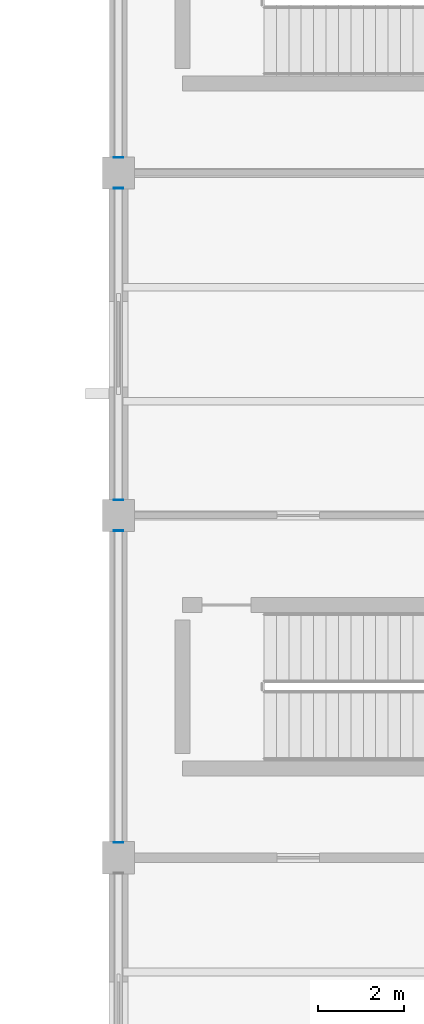
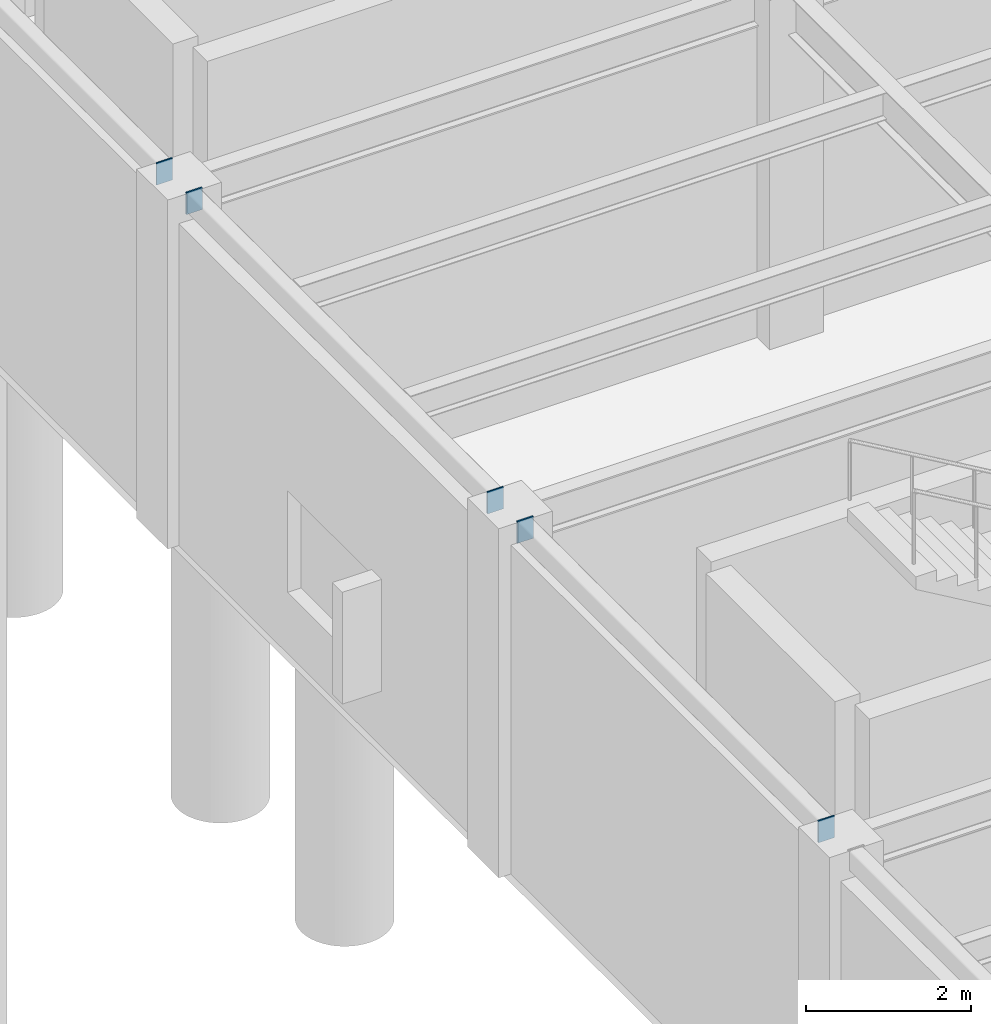
# One storey, part 100 of 138: 5 discrete accessories.
"""IFC4 building model written with IfcOpenShell, lengths in metres."""

import ifcopenshell
import ifcopenshell.guid

model = None  # the IFC model being written
_history = None  # IfcOwnerHistory: only IFC2X3 demands one
_inside = {}  # id of a spatial element -> (the spatial element, [elements in it])
_under = {}  # id of a project, library or spatial element -> (it, [spatial elements below it])
_declared = {}  # id of a project -> (the project, [libraries it declares])
_typed = {}  # id of a type object -> (the type object, [elements of that type])
_made_of = {}  # id of a material, layer set ... -> (it, [elements and type objects made of it])


def new_model(schema):
    """Start an empty IFC model of exactly this schema.

    Asked for "IFC4X3", IfcOpenShell would pick the latest addendum, in which some entities
    have other attributes; the version numbers below select the first issue.
    IFC2X3 requires an IfcOwnerHistory on every rooted entity: one is made here for all.
    """
    global model, _history
    if schema == "IFC4X3":
        model = ifcopenshell.file(schema_version=(4, 3, 0, 0))
    else:
        model = ifcopenshell.file(schema=schema)
    _inside.clear()
    _under.clear()
    _declared.clear()
    _typed.clear()
    _made_of.clear()
    _history = None
    if model.schema == "IFC2X3":
        org = make("IfcOrganization", Name="unknown")
        user = make(
            "IfcPersonAndOrganization",
            ThePerson=make("IfcPerson", FamilyName="unknown"),
            TheOrganization=org,
        )
        app = make(
            "IfcApplication",
            ApplicationDeveloper=org,
            Version="unknown",
            ApplicationFullName="unknown",
            ApplicationIdentifier="unknown",
        )
        _history = make(
            "IfcOwnerHistory",
            OwningUser=user,
            OwningApplication=app,
            ChangeAction="ADDED",
            CreationDate=0,
        )
    return model


def make(cls, **values):
    """One entity of the class cls with the attributes given. An attribute that is None is left unset."""
    return model.create_entity(
        cls, **{name: value for name, value in values.items() if value is not None}
    )


def rooted(cls, **values):
    """An entity with a GlobalId (a new one), such as an element, a storey or a relation."""
    return make(cls, GlobalId=ifcopenshell.guid.new(), OwnerHistory=_history, **values)


def si_unit(unit_type, name, prefix=None):
    """IfcSIUnit, for example si_unit("LENGTHUNIT", "METRE", prefix="MILLI")."""
    return make("IfcSIUnit", UnitType=unit_type, Prefix=prefix, Name=name)


def assignment(units):
    """IfcUnitAssignment: the units of a project."""
    return None if units is None else make("IfcUnitAssignment", Units=units)


def point(xyz):
    """IfcCartesianPoint."""
    return None if xyz is None else make("IfcCartesianPoint", Coordinates=xyz)


def direction(xyz):
    """IfcDirection."""
    return None if xyz is None else make("IfcDirection", DirectionRatios=xyz)


def frame(location, z_axis=None, x_axis=None):
    """IfcAxis2Placement3D, a coordinate frame: its origin and axes. An axis left out is left unset."""
    return make(
        "IfcAxis2Placement3D",
        Location=point(location),
        Axis=direction(z_axis),
        RefDirection=direction(x_axis),
    )


def frame_2d(location, x_axis=None):
    """IfcAxis2Placement2D, a coordinate frame in the plane: its origin and x axis."""
    return make(
        "IfcAxis2Placement2D", Location=point(location), RefDirection=direction(x_axis)
    )


def origin():
    """The frame at (0, 0, 0) with its axes left unset."""
    return frame((0.0, 0.0, 0.0))


def origin_2d():
    """The frame at (0, 0) in the plane with its x axis left unset."""
    return frame_2d((0.0, 0.0))


def place(relative_to, where):
    """IfcLocalPlacement: puts the frame where relative to a parent placement (None: the world)."""
    return make(
        "IfcLocalPlacement", PlacementRelTo=relative_to, RelativePlacement=where
    )


def context(
    kind, dimensions, precision=None, world=None, true_north=None, identifier=None
):
    """IfcGeometricRepresentationContext, for example the 3D "Model" context."""
    return make(
        "IfcGeometricRepresentationContext",
        ContextIdentifier=identifier,
        ContextType=kind,
        CoordinateSpaceDimension=dimensions,
        Precision=precision,
        WorldCoordinateSystem=world,
        TrueNorth=true_north,
    )


def subcontext(parent, identifier, kind, view, scale=None):
    """IfcGeometricRepresentationSubContext, for example "Body" below "Model"."""
    return make(
        "IfcGeometricRepresentationSubContext",
        ContextIdentifier=identifier,
        ContextType=kind,
        ParentContext=parent,
        TargetScale=scale,
        TargetView=view,
    )


def project(units=None, contexts=None):
    """IfcProject with its units and contexts."""
    return rooted(
        "IfcProject",
        Name="project",
        RepresentationContexts=contexts,
        UnitsInContext=assignment(units),
    )


def spatial(cls, under=None, at=None, **own):
    """A site, building, storey or space (cls), placed at a placement, below another one or the project."""
    s = rooted(cls, ObjectPlacement=at, **own)
    if under is not None:
        _under.setdefault(under.id(), (under, []))[1].append(s)
    return s


def profile(cls, at=None, kind="AREA", **sizes):
    """A parametric profile (cls). Its sizes go by their IFC names, for example OverallWidth=200.0."""
    return make(cls, ProfileType=kind, Position=at, **sizes)


def rectangle(**sizes):
    """IfcRectangleProfileDef."""
    return profile("IfcRectangleProfileDef", **sizes)


def extrude(swept, where, along, depth):
    """IfcExtrudedAreaSolid: the profile swept, set in the frame where, extruded along a direction by depth."""
    return make(
        "IfcExtrudedAreaSolid",
        SweptArea=swept,
        Position=where,
        ExtrudedDirection=direction(along),
        Depth=depth,
    )


def shape(context_of_items, identifier, shape_type, items):
    """IfcShapeRepresentation: the items that make up one representation, for example the "Body"."""
    return make(
        "IfcShapeRepresentation",
        ContextOfItems=context_of_items,
        RepresentationIdentifier=identifier,
        RepresentationType=shape_type,
        Items=items,
    )


def material(Name=None, Category=None):
    """IfcMaterial."""
    return make("IfcMaterial", Name=Name, Category=Category)


def layer(
    of_material, thickness, ventilated=None, Name=None, Category=None, Priority=None
):
    """IfcMaterialLayer: one layer of a wall or slab, of a material (None: an air gap)."""
    return make(
        "IfcMaterialLayer",
        Material=of_material,
        LayerThickness=thickness,
        IsVentilated=ventilated,
        Name=Name,
        Category=Category,
        Priority=Priority,
    )


def layer_set(layers, Name=None):
    """IfcMaterialLayerSet."""
    return make("IfcMaterialLayerSet", MaterialLayers=layers, LayerSetName=Name)


def made_of(thing, what):
    """Note that an element or type object is made of a material, layer set ...; save() writes the relation."""
    if what is not None:
        _made_of.setdefault(what.id(), (what, []))[1].append(thing)
    return thing


def type_object(cls, material=None, **own):
    """A type object (cls), such as IfcWallType, which elements share."""
    return made_of(rooted(cls, **own), material)


def element(
    cls,
    number,
    at=None,
    inside=None,
    cuts=None,
    type_object=None,
    material=None,
    context=None,
    identifier="Body",
    shape_type=None,
    held_by="IfcProductDefinitionShape",
    body=None,
    shapes=None,
    **own,
):
    """One element of the class cls, such as IfcWall. Its Tag is "e" and its number.

    at: its placement. inside: the storey or other place that contains it. cuts: it is an
    opening in that element (IfcRelVoidsElement). A single representation is given by context,
    identifier, shape_type and body (its items); several are given by shapes. held_by: the class
    of the entity that holds the representations. save() writes the other relations.
    """
    e = rooted(cls, Tag="e%d" % number, ObjectPlacement=at, **own)
    if body is not None:
        shapes = [shape(context, identifier, shape_type, body)]
    if shapes is not None:
        e.Representation = make(held_by, Representations=shapes)
    if inside is not None:
        _inside.setdefault(inside.id(), (inside, []))[1].append(e)
    if cuts is not None:
        rooted(
            "IfcRelVoidsElement", RelatingBuildingElement=cuts, RelatedOpeningElement=e
        )
    if type_object is not None:
        _typed.setdefault(type_object.id(), (type_object, []))[1].append(e)
    return made_of(e, material)


def aggregate(whole, parts):
    """IfcRelAggregates: a whole, such as a stair, and the parts it consists of."""
    return rooted("IfcRelAggregates", RelatingObject=whole, RelatedObjects=parts)


def save(model, path):
    """Write the relations noted so far, then the file.

    IfcRelAggregates (storeys below a building ...), IfcRelContainedInSpatialStructure (elements
    in a storey), IfcRelDefinesByType, IfcRelAssociatesMaterial and IfcRelDeclares: one each for
    every whole, place, type object, material and project.
    """
    for whole, parts in _under.values():
        aggregate(whole, parts)
    for where, things in _inside.values():
        rooted(
            "IfcRelContainedInSpatialStructure",
            RelatedElements=things,
            RelatingStructure=where,
        )
    for kind, things in _typed.values():
        rooted("IfcRelDefinesByType", RelatedObjects=things, RelatingType=kind)
    for what, things in _made_of.values():
        rooted("IfcRelAssociatesMaterial", RelatedObjects=things, RelatingMaterial=what)
    for by, libraries in _declared.values():
        rooted("IfcRelDeclares", RelatingContext=by, RelatedDefinitions=libraries)
    model.write(path)


model = new_model("IFC4")

# Units and contexts
model_context = context("Model", 3, precision=1e-05, world=origin(), true_north=direction((0.0, 1.0)))
body_context = subcontext(model_context, "Body", "Model", "MODEL_VIEW")
ifc_project = project(units=[si_unit("LENGTHUNIT", "METRE"), si_unit("AREAUNIT", "SQUARE_METRE"), si_unit("VOLUMEUNIT", "CUBIC_METRE"), si_unit("PLANEANGLEUNIT", "RADIAN"), si_unit("MASSUNIT", "GRAM", prefix="KILO")], contexts=[model_context])

# Site, building, storey
site_placement = place(None, origin())
site = spatial("IfcSite", under=ifc_project, at=site_placement, CompositionType="ELEMENT")
building_placement = place(site_placement, origin())
building = spatial("IfcBuilding", under=site, at=building_placement, Name="Kranzveld Transit Interchange", CompositionType="ELEMENT")
storey_placement = place(building_placement, origin())
storey = spatial("IfcBuildingStorey", under=building, at=storey_placement, Name="L00", CompositionType="ELEMENT", Elevation=0.0)

# Discrete accessories
ifc_material = material(Name="Steel S355JR", Category="steel")
ifc_layer = layer(ifc_material, 0.02001953125)
ifc_layer_set = layer_set([ifc_layer], Name="Steel S355JR")
discrete_accessory_type = type_object("IfcDiscreteAccessoryType", Name="Hollow Section End Cap Bracket 20 S355JR", PredefinedType="BRACKET", material=ifc_layer_set)
for number, where, z_axis, x_axis, name in (
    (1, (0.0, 64.368896484375, 5.0), (0.0, -1.0, 0.0), (1.0, 0.0, 0.0), "Hollow Section End Cap SP-RHS300-1"),
    (2, (0.0, 71.631103515625, 5.0), (0.0, 1.0, 0.0), (-1.0, 0.0, 0.0), "Hollow Section End Cap SP-RHS300-2"),
    (3, (0.0, 72.368896484375, 5.0), (0.0, -1.0, 0.0), (1.0, 0.0, 0.0), "Hollow Section End Cap SP-RHS300-1"),
    (4, (0.0, 79.631103515625, 5.0), (0.0, 1.0, 0.0), (-1.0, 0.0, 0.0), "Hollow Section End Cap SP-RHS300-2"),
    (5, (0.0, 80.368896484375, 5.0), (0.0, -1.0, 0.0), (1.0, 0.0, 0.0), "Hollow Section End Cap SP-RHS300-1"),
):
    element("IfcDiscreteAccessory", number, at=place(storey_placement, frame(where, z_axis=z_axis, x_axis=x_axis)), inside=storey, type_object=discrete_accessory_type, Name=name, PredefinedType="BRACKET", context=body_context, shape_type="SweptSolid", body=[
        extrude(rectangle(XDim=0.22412109375, YDim=0.323974609375, at=origin_2d()), origin(), (0.0, 0.0, 1.0), 0.019775390625),
    ])

save(model, "model.ifc")
